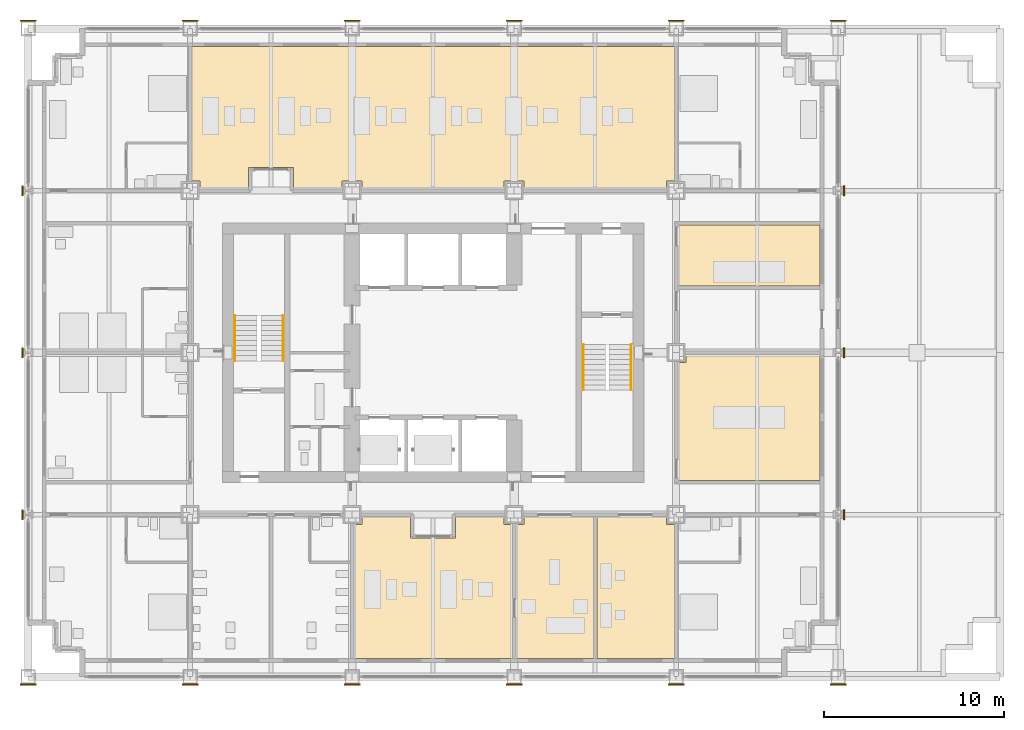
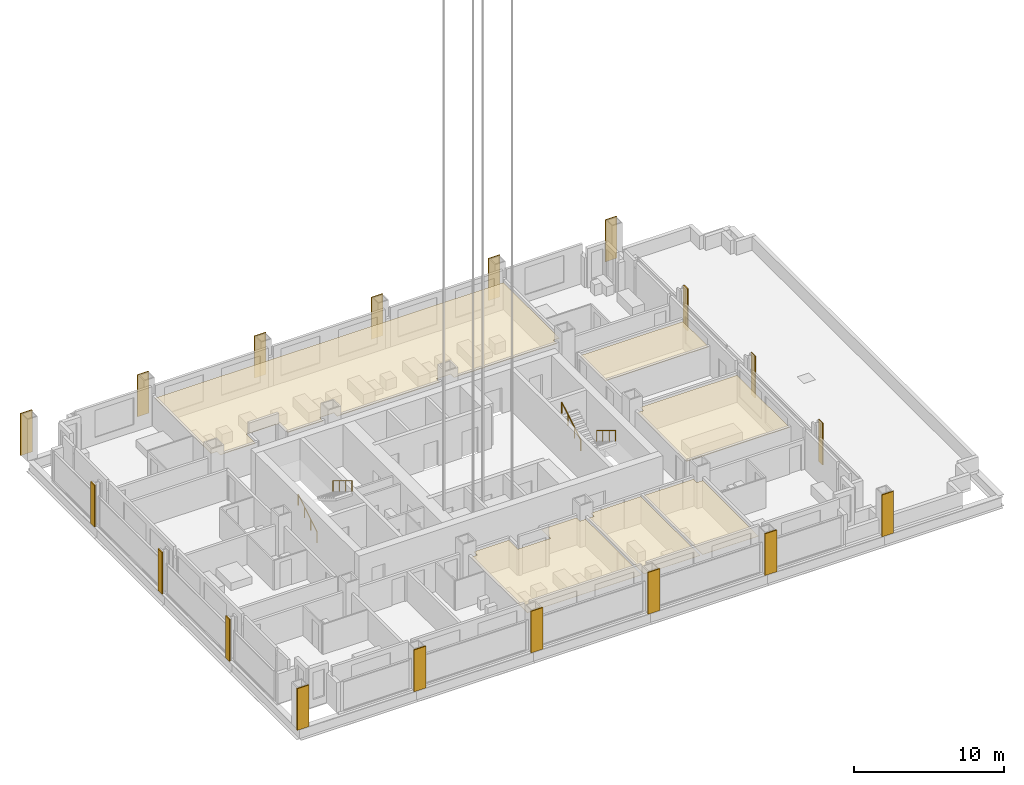
# One storey, part 16 of 19: 24 coverings, 4 railings.
"""IFC4 building model written with IfcOpenShell, lengths in metres."""

from ifc_helpers import new_model, si_unit, direction, frame, origin, origin_2d, place, context, subcontext, project, spatial, polyline, rectangle, circle, outline, extrude, material, layer, layer_set, type_object, element, save


model = new_model("IFC4")

# Units and contexts
model_context = context("Model", 3, precision=1e-05, world=origin(), true_north=direction((0.0, 1.0)))
body_context = subcontext(model_context, "Body", "Model", "MODEL_VIEW")
ifc_project = project(units=[si_unit("LENGTHUNIT", "METRE"), si_unit("AREAUNIT", "SQUARE_METRE"), si_unit("VOLUMEUNIT", "CUBIC_METRE"), si_unit("PLANEANGLEUNIT", "RADIAN"), si_unit("MASSUNIT", "GRAM", prefix="KILO")], contexts=[model_context])

# Site, building, storey
site_placement = place(None, origin())
site = spatial("IfcSite", under=ifc_project, at=site_placement, CompositionType="ELEMENT")
building_placement = place(site_placement, origin())
building = spatial("IfcBuilding", under=site, at=building_placement, Name="Loomwork Tower", CompositionType="ELEMENT")
storey_placement = place(building_placement, frame((0.0, 0.0, 94.199951171875)))
storey = spatial("IfcBuildingStorey", under=building, at=storey_placement, Name="L24", CompositionType="ELEMENT", Elevation=94.199951171875)

# Railings
ifc_material_1 = material(Name="Stainless steel handrail", Category="steel")
railing_type = type_object("IfcRailingType", Name="Handrail 900", PredefinedType="HANDRAIL", material=ifc_material_1)
railing_1_placement = place(storey_placement, frame((11.485107421875, 17.550048828125, 0.170166015625)))
element("IfcRailing", 1, at=railing_1_placement, inside=storey, type_object=railing_type, Name="Stair A handrail flight 1 L24", PredefinedType="HANDRAIL", context=body_context, shape_type="SweptSolid", body=[
    extrude(circle(Radius=0.02392578125, at=origin_2d()), frame((0.0, 0.0, 0.8759765625), z_axis=(0.0, 0.854821627497, 0.518921945155), x_axis=(-1.0, 0.0, 0.0)), (0.0, 0.0, 1.0), 2.947998046875),
    extrude(circle(Radius=0.02099609375, at=origin_2d()), origin(), (0.0, 0.0, 1.0), 0.851806640625),
    extrude(circle(Radius=0.02099609375, at=origin_2d()), frame((0.0, 0.840087890625, 0.510009765625)), (0.0, 0.0, 1.0), 0.851806640625),
    extrude(circle(Radius=0.02099609375, at=origin_2d()), frame((0.0, 1.679931640625, 1.019775390625)), (0.0, 0.0, 1.0), 0.851806640625),
    extrude(circle(Radius=0.02099609375, at=origin_2d()), frame((0.0, 2.52001953125, 1.52978515625)), (0.0, 0.0, 1.0), 0.851806640625),
])
railing_2_placement = place(storey_placement, frame((14.1650390625, 20.070068359375, 1.8701171875)))
element("IfcRailing", 2, at=railing_2_placement, inside=storey, type_object=railing_type, Name="Stair A handrail flight 2 L24", PredefinedType="HANDRAIL", context=body_context, shape_type="SweptSolid", body=[
    extrude(circle(Radius=0.02392578125, at=origin_2d()), frame((0.0, 0.0, 0.8759765625), z_axis=(0.0, -0.85478489116, 0.518982456201), x_axis=(1.0, 0.0, 0.0)), (0.0, 0.0, 1.0), 2.9482421875),
    extrude(circle(Radius=0.02099609375, at=origin_2d()), origin(), (0.0, 0.0, 1.0), 0.851806640625),
    extrude(circle(Radius=0.02099609375, at=origin_2d()), frame((0.0, -0.840087890625, 0.510009765625)), (0.0, 0.0, 1.0), 0.851806640625),
    extrude(circle(Radius=0.02099609375, at=origin_2d()), frame((0.0, -1.679931640625, 1.02001953125)), (0.0, 0.0, 1.0), 0.851806640625),
    extrude(circle(Radius=0.02099609375, at=origin_2d()), frame((0.0, -2.52001953125, 1.530029296875)), (0.0, 0.0, 1.0), 0.851806640625),
])
railing_3_placement = place(storey_placement, frame((33.514892578125, 18.449951171875, 0.170166015625)))
element("IfcRailing", 3, at=railing_3_placement, inside=storey, type_object=railing_type, Name="Stair B handrail flight 1 L24", PredefinedType="HANDRAIL", context=body_context, shape_type="SweptSolid", body=[
    extrude(circle(Radius=0.02392578125, at=origin_2d()), frame((0.0, 0.0, 0.8759765625), z_axis=(0.0, -0.854821627497, 0.518921945155), x_axis=(1.0, 0.0, 0.0)), (0.0, 0.0, 1.0), 2.947998046875),
    extrude(circle(Radius=0.02099609375, at=origin_2d()), origin(), (0.0, 0.0, 1.0), 0.851806640625),
    extrude(circle(Radius=0.02099609375, at=origin_2d()), frame((0.0, -0.840087890625, 0.510009765625)), (0.0, 0.0, 1.0), 0.851806640625),
    extrude(circle(Radius=0.02099609375, at=origin_2d()), frame((0.0, -1.679931640625, 1.019775390625)), (0.0, 0.0, 1.0), 0.851806640625),
    extrude(circle(Radius=0.02099609375, at=origin_2d()), frame((0.0, -2.52001953125, 1.52978515625)), (0.0, 0.0, 1.0), 0.851806640625),
])
railing_4_placement = place(storey_placement, frame((30.8349609375, 15.929931640625, 1.8701171875)))
element("IfcRailing", 4, at=railing_4_placement, inside=storey, type_object=railing_type, Name="Stair B handrail flight 2 L24", PredefinedType="HANDRAIL", context=body_context, shape_type="SweptSolid", body=[
    extrude(circle(Radius=0.02392578125, at=origin_2d()), frame((0.0, 0.0, 0.8759765625), z_axis=(0.0, 0.85478489116, 0.518982456201), x_axis=(-1.0, 0.0, 0.0)), (0.0, 0.0, 1.0), 2.9482421875),
    extrude(circle(Radius=0.02099609375, at=origin_2d()), origin(), (0.0, 0.0, 1.0), 0.851806640625),
    extrude(circle(Radius=0.02099609375, at=origin_2d()), frame((0.0, 0.840087890625, 0.510009765625)), (0.0, 0.0, 1.0), 0.851806640625),
    extrude(circle(Radius=0.02099609375, at=origin_2d()), frame((0.0, 1.679931640625, 1.02001953125)), (0.0, 0.0, 1.0), 0.851806640625),
    extrude(circle(Radius=0.02099609375, at=origin_2d()), frame((0.0, 2.52001953125, 1.530029296875)), (0.0, 0.0, 1.0), 0.851806640625),
])

# Coverings
ifc_material_2 = material(Name="Limestone", Category="masonry")
ifc_layer_1 = layer(ifc_material_2, 0.080078125)
ifc_layer_set_1 = layer_set([ifc_layer_1], Name="Limestone pier facing 80")
covering_type_1 = type_object("IfcCoveringType", Name="Limestone pier facing 80", PredefinedType="CLADDING", material=ifc_layer_set_1)
covering_1_placement = place(storey_placement, frame((0.0, -0.43994140625, 0.0), z_axis=(0.0, 0.0, 1.0), x_axis=(1.0, 0.0, 0.0)))
element("IfcCovering", 5, at=covering_1_placement, inside=storey, type_object=covering_type_1, Name="Pier facing D/2 L24", PredefinedType="CLADDING", context=body_context, shape_type="SweptSolid", body=[
    extrude(rectangle(XDim=0.89990234375, YDim=0.080078125, at=origin_2d()), origin(), (0.0, 0.0, 1.0), 3.39990234375),
])
for number, where, z_axis, x_axis, name in (
    (6, (-0.314208984375, 9.0, 0.0), (0.0, 0.0, 1.0), (1.0, 0.0, 0.0), "Pier facing E/2 L24"),
    (7, (-0.314208984375, 18.0, 0.0), (0.0, 0.0, 1.0), (1.0, 0.0, 0.0), "Pier facing F/2 L24"),
    (8, (-0.314208984375, 27.0, 0.0), (0.0, 0.0, 1.0), (1.0, 0.0, 0.0), "Pier facing G/2 L24"),
):
    element("IfcCovering", number, at=place(storey_placement, frame(where, z_axis=z_axis, x_axis=x_axis)), inside=storey, type_object=covering_type_1, Name=name, PredefinedType="CLADDING", context=body_context, shape_type="SweptSolid", body=[
        extrude(rectangle(XDim=0.080078125, YDim=0.549560546875, at=origin_2d()), origin(), (0.0, 0.0, 1.0), 3.39990234375),
    ])
for number, where, z_axis, x_axis, name in (
    (9, (0.0, 36.43994140625, 0.0), (0.0, 0.0, 1.0), (1.0, 0.0, 0.0), "Pier facing H/2 L24"),
    (10, (9.0, -0.43994140625, 0.0), (0.0, 0.0, 1.0), (1.0, 0.0, 0.0), "Pier facing D/3 L24"),
    (11, (9.0, 36.43994140625, 0.0), (0.0, 0.0, 1.0), (1.0, 0.0, 0.0), "Pier facing H/3 L24"),
    (12, (18.0, -0.43994140625, 0.0), (0.0, 0.0, 1.0), (1.0, 0.0, 0.0), "Pier facing D/4 L24"),
    (13, (18.0, 36.43994140625, 0.0), (0.0, 0.0, 1.0), (1.0, 0.0, 0.0), "Pier facing H/4 L24"),
    (14, (27.0, -0.43994140625, 0.0), (0.0, 0.0, 1.0), (1.0, 0.0, 0.0), "Pier facing D/5 L24"),
    (15, (27.0, 36.43994140625, 0.0), (0.0, 0.0, 1.0), (1.0, 0.0, 0.0), "Pier facing H/5 L24"),
    (16, (36.0, -0.43994140625, 0.0), (0.0, 0.0, 1.0), (1.0, 0.0, 0.0), "Pier facing D/6 L24"),
    (17, (36.0, 36.43994140625, 0.0), (0.0, 0.0, 1.0), (1.0, 0.0, 0.0), "Pier facing H/6 L24"),
    (18, (45.0, -0.43994140625, 0.0), (0.0, 0.0, 1.0), (1.0, 0.0, 0.0), "Pier facing D/7 L24"),
):
    element("IfcCovering", number, at=place(storey_placement, frame(where, z_axis=z_axis, x_axis=x_axis)), inside=storey, type_object=covering_type_1, Name=name, PredefinedType="CLADDING", context=body_context, shape_type="SweptSolid", body=[
        extrude(rectangle(XDim=0.89990234375, YDim=0.080078125, at=origin_2d()), origin(), (0.0, 0.0, 1.0), 3.39990234375),
    ])
for number, where, z_axis, x_axis, name in (
    (19, (45.314208984375, 9.0, 0.0), (0.0, 0.0, 1.0), (1.0, 0.0, 0.0), "Pier facing E/7 L24"),
    (20, (45.314208984375, 18.0, 0.0), (0.0, 0.0, 1.0), (1.0, 0.0, 0.0), "Pier facing F/7 L24"),
    (21, (45.314208984375, 27.0, 0.0), (0.0, 0.0, 1.0), (1.0, 0.0, 0.0), "Pier facing G/7 L24"),
):
    element("IfcCovering", number, at=place(storey_placement, frame(where, z_axis=z_axis, x_axis=x_axis)), inside=storey, type_object=covering_type_1, Name=name, PredefinedType="CLADDING", context=body_context, shape_type="SweptSolid", body=[
        extrude(rectangle(XDim=0.080078125, YDim=0.549560546875, at=origin_2d()), origin(), (0.0, 0.0, 1.0), 3.39990234375),
    ])
covering_2_placement = place(storey_placement, frame((45.0, 36.43994140625, 0.0), z_axis=(0.0, 0.0, 1.0), x_axis=(1.0, 0.0, 0.0)))
element("IfcCovering", 22, at=covering_2_placement, inside=storey, type_object=covering_type_1, Name="Pier facing H/7 L24", PredefinedType="CLADDING", context=body_context, shape_type="SweptSolid", body=[
    extrude(rectangle(XDim=0.89990234375, YDim=0.080078125, at=origin_2d()), origin(), (0.0, 0.0, 1.0), 3.39990234375),
])
ifc_material_3 = material(Name="Mineral fibre acoustic tile on suspension grid")
ifc_layer_2 = layer(ifc_material_3, 0.02490234375)
ifc_layer_set_2 = layer_set([ifc_layer_2], Name="Suspended acoustic ceiling")
covering_type_2 = type_object("IfcCoveringType", Name="Suspended acoustic ceiling", PredefinedType="CEILING", material=ifc_layer_set_2)
covering_3_placement = place(storey_placement, frame((0.0, 0.0, 2.175048828125)))
element("IfcCovering", 23, at=covering_3_placement, inside=storey, type_object=covering_type_2, Name="Ceiling Sky lounge L24", PredefinedType="CEILING", context=body_context, shape_type="SweptSolid", body=[
    extrude(outline(polyline([(21.25, 7.699951171875), (23.75, 7.699951171875), (23.75, 8.89990234375), (26.449951171875, 8.89990234375), (26.449951171875, 8.449951171875), (26.89990234375, 8.449951171875), (26.89990234375, 1.0), (18.10009765625, 1.0), (18.10009765625, 8.449951171875), (18.550048828125, 8.449951171875), (18.550048828125, 8.89990234375), (21.25, 8.89990234375), (21.25, 7.699951171875)])), origin(), (0.0, 0.0, 1.0), 0.02490234375),
])
covering_4_placement = place(storey_placement, frame((0.0, 0.0, 2.175048828125)))
element("IfcCovering", 24, at=covering_4_placement, inside=storey, type_object=covering_type_2, Name="Ceiling Sky lobby L24", PredefinedType="CEILING", context=body_context, shape_type="SweptSolid", body=[
    extrude(outline(polyline([(31.39990234375, 8.89990234375), (31.39990234375, 1.0), (27.10009765625, 1.0), (27.10009765625, 8.449951171875), (27.550048828125, 8.449951171875), (27.550048828125, 8.89990234375), (31.39990234375, 8.89990234375)])), origin(), (0.0, 0.0, 1.0), 0.02490234375),
])
covering_5_placement = place(storey_placement, frame((0.0, 0.0, 2.175048828125)))
element("IfcCovering", 25, at=covering_5_placement, inside=storey, type_object=covering_type_2, Name="Ceiling Business centre L24", PredefinedType="CEILING", context=body_context, shape_type="SweptSolid", body=[
    extrude(outline(polyline([(35.449951171875, 8.89990234375), (35.449951171875, 8.449951171875), (35.89990234375, 8.449951171875), (35.89990234375, 1.0), (31.60009765625, 1.0), (31.60009765625, 8.89990234375), (35.449951171875, 8.89990234375)])), origin(), (0.0, 0.0, 1.0), 0.02490234375),
])
covering_6_placement = place(storey_placement, frame((0.0, 0.0, 2.175048828125)))
element("IfcCovering", 26, at=covering_6_placement, inside=storey, type_object=covering_type_2, Name="Ceiling Executive club lounge L24", PredefinedType="CEILING", context=body_context, shape_type="SweptSolid", body=[
    extrude(outline(polyline([(35.89990234375, 35.0), (35.89990234375, 27.550048828125), (35.449951171875, 27.550048828125), (35.449951171875, 27.10009765625), (27.550048828125, 27.10009765625), (27.550048828125, 27.550048828125), (26.449951171875, 27.550048828125), (26.449951171875, 27.10009765625), (18.550048828125, 27.10009765625), (18.550048828125, 27.550048828125), (17.449951171875, 27.550048828125), (17.449951171875, 27.10009765625), (14.75, 27.10009765625), (14.75, 28.300048828125), (12.25, 28.300048828125), (12.25, 27.10009765625), (9.550048828125, 27.10009765625), (9.550048828125, 27.550048828125), (9.10009765625, 27.550048828125), (9.10009765625, 35.0), (35.89990234375, 35.0)])), origin(), (0.0, 0.0, 1.0), 0.02490234375),
])
covering_7_placement = place(storey_placement, frame((0.0, 0.0, 2.175048828125)))
element("IfcCovering", 27, at=covering_7_placement, inside=storey, type_object=covering_type_2, Name="Ceiling Meeting room L24", PredefinedType="CEILING", context=body_context, shape_type="SweptSolid", body=[
    extrude(outline(polyline([(36.10009765625, 17.449951171875), (36.550048828125, 17.449951171875), (36.550048828125, 17.89990234375), (44.0, 17.89990234375), (44.0, 10.89990234375), (36.10009765625, 10.89990234375), (36.10009765625, 17.449951171875)])), origin(), (0.0, 0.0, 1.0), 0.02490234375),
])
covering_8_placement = place(storey_placement, frame((0.0, 0.0, 2.175048828125)))
element("IfcCovering", 28, at=covering_8_placement, inside=storey, type_object=covering_type_2, Name="Ceiling Meeting room L24", PredefinedType="CEILING", context=body_context, shape_type="SweptSolid", body=[
    extrude(outline(polyline([(44.0, 25.10009765625), (44.0, 21.699951171875), (36.10009765625, 21.699951171875), (36.10009765625, 25.10009765625), (44.0, 25.10009765625)])), origin(), (0.0, 0.0, 1.0), 0.02490234375),
])

save(model, "model.ifc")
